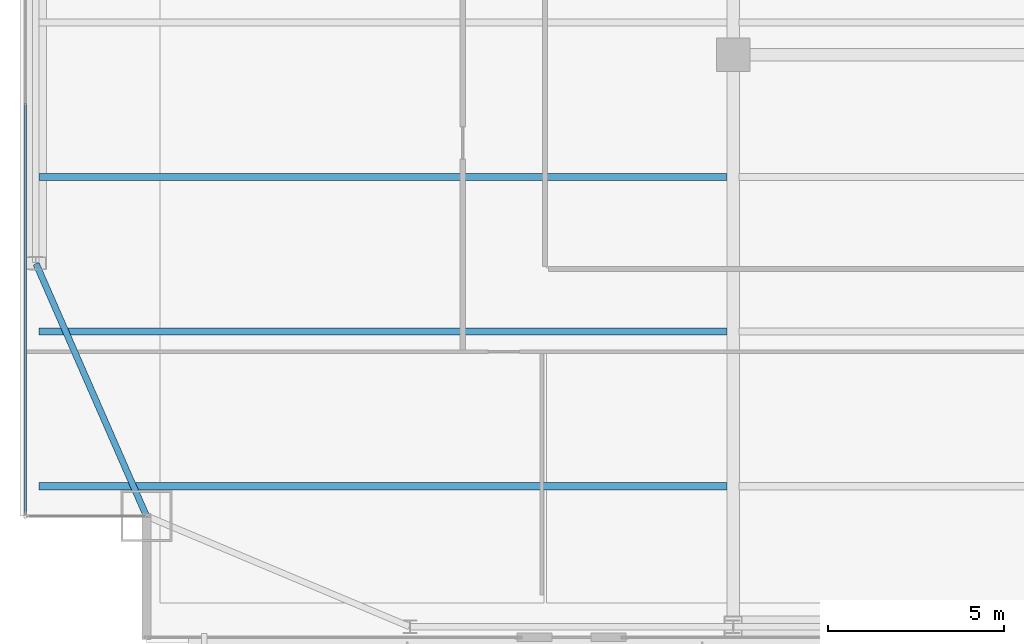
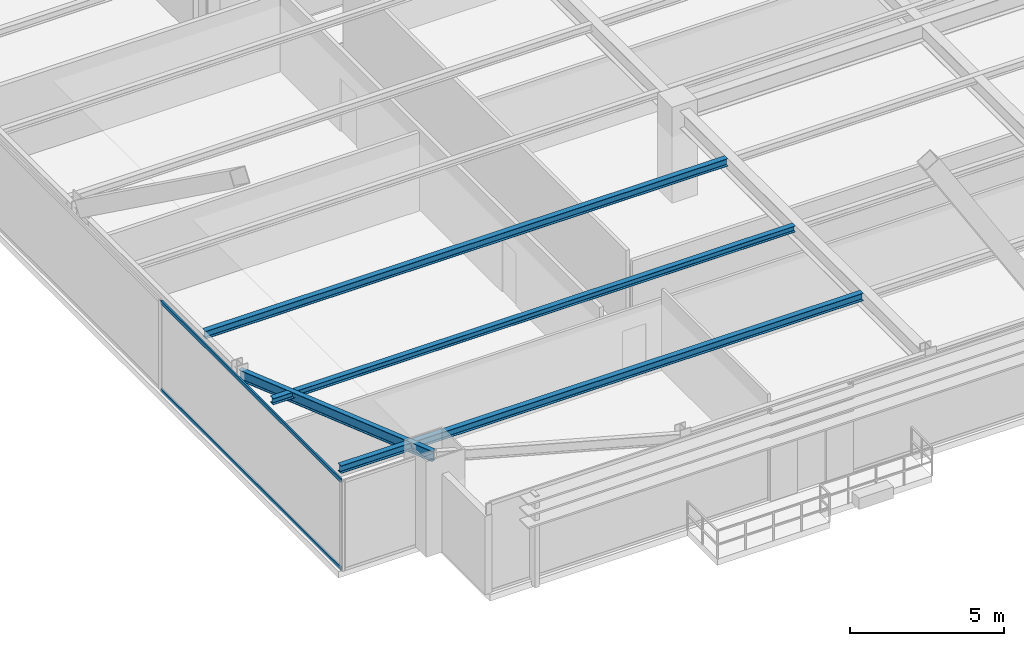
# One storey, part 5 of 37: 4 beams, 2 members, 1 element without a shape of its own.
"""IFC4 building model written with IfcOpenShell, lengths in metres."""

from ifc_helpers import new_model, si_unit, direction, frame, origin, origin_2d, place, context, subcontext, project, spatial, hollow_rectangle, i_section, extrude, source, transform, mapped, material, layer, layer_set, material_profile, profile_set, type_object, type_shapes, element, aggregate, save


model = new_model("IFC4")

# Units and contexts
model_context = context("Model", 3, precision=1e-05, world=origin(), true_north=direction((0.0, 1.0)))
body_context = subcontext(model_context, "Body", "Model", "MODEL_VIEW")
ifc_project = project(units=[si_unit("LENGTHUNIT", "METRE"), si_unit("AREAUNIT", "SQUARE_METRE"), si_unit("VOLUMEUNIT", "CUBIC_METRE"), si_unit("PLANEANGLEUNIT", "RADIAN"), si_unit("MASSUNIT", "GRAM", prefix="KILO")], contexts=[model_context])

# Site, building, storey
site_placement = place(None, origin())
site = spatial("IfcSite", under=ifc_project, at=site_placement, CompositionType="ELEMENT")
building_placement = place(site_placement, origin())
building = spatial("IfcBuilding", under=site, at=building_placement, Name="Varnel Quay Broadcast Tower", CompositionType="ELEMENT")
storey_placement = place(building_placement, frame((0.0, 0.0, 106.800048828125)))
storey = spatial("IfcBuildingStorey", under=building, at=storey_placement, Name="L25", CompositionType="ELEMENT", Elevation=106.800048828125)

# Beams
ifc_material_1 = material(Name="Structural Steel CSA G40.21 350W", Category="steel")
ifc_material_profile_1 = material_profile(ifc_material_1, i_section(OverallWidth=0.180908203125, OverallDepth=0.4169921875, WebThickness=0.010986328125, FlangeThickness=0.018310546875, FilletRadius=0.011962890625, at=origin_2d()), Name="W410X85")
ifc_profile_set_1 = profile_set([ifc_material_profile_1], Name="Structural Steel CSA G40.21 350W")
beam_type_1 = type_object("IfcBeamType", Name="Beam_W410X85", PredefinedType="SPANDREL", material=ifc_profile_set_1)
shared_shape_1 = source(origin(), body_context, "Body", "SweptSolid", [
    extrude(i_section(OverallWidth=0.180908203125, OverallDepth=0.4169921875, WebThickness=0.010986328125, FlangeThickness=0.018310546875, FilletRadius=0.011962890625, at=origin_2d()), origin(), (0.0, 0.0, 1.0), 7.81884765625),
])
type_shapes(beam_type_1, [shared_shape_1])
beam_1_placement = place(storey_placement, frame((8.092041015625, 7.818359375, 3.341552734375), z_axis=(-0.400827023998, 0.916153751743, 0.0), x_axis=(-0.916153751743, -0.400827023998, 0.0)))
element("IfcBeam", 1, at=beam_1_placement, inside=storey, type_object=beam_type_1, Name="L25 West Spandrel MC-SW-TC-W1", PredefinedType="SPANDREL", context=body_context, shape_type="MappedRepresentation", body=[
    mapped(shared_shape_1, transform((0.0, 0.0, 0.0), x_axis=(1.0, 0.0, 0.0), y_axis=(0.0, 1.0, 0.0), z_axis=(0.0, 0.0, 1.0), scale=1.0)),
])
ifc_material_profile_2 = material_profile(ifc_material_1, i_section(OverallWidth=0.202880859375, OverallDepth=0.302978515625, WebThickness=0.007568359375, FlangeThickness=0.01318359375, FilletRadius=0.011962890625, at=origin_2d()), Name="W310X60")
ifc_profile_set_2 = profile_set([ifc_material_profile_2], Name="Structural Steel CSA G40.21 350W")
beam_type_2 = type_object("IfcBeamType", Name="Beam_W310X60", PredefinedType="JOIST", material=ifc_profile_set_2)
shared_shape_2 = source(origin(), body_context, "Body", "SweptSolid", [
    extrude(i_section(OverallWidth=0.202880859375, OverallDepth=0.302978515625, WebThickness=0.007568359375, FlangeThickness=0.01318359375, FilletRadius=0.011962890625, at=origin_2d()), origin(), (0.0, 0.0, 1.0), 19.592041015625),
])
type_shapes(beam_type_2, [shared_shape_2])
for number, where, z_axis, x_axis, name in (
    (2, (5.035400390625, 8.64990234375, 3.3984375), (1.0, 0.0, 0.0), (0.0, 1.0, 0.0), "L25 West Floor Joist 1"),
    (3, (5.035400390625, 17.449951171875, 3.3984375), (1.0, 0.0, 0.0), (0.0, 1.0, 0.0), "L25 West Floor Joist 3"),
):
    element("IfcBeam", number, at=place(storey_placement, frame(where, z_axis=z_axis, x_axis=x_axis)), inside=storey, type_object=beam_type_2, Name=name, PredefinedType="JOIST", context=body_context, shape_type="MappedRepresentation", body=[
        mapped(shared_shape_2, transform((0.0, 0.0, 0.0), x_axis=(1.0, 0.0, 0.0), y_axis=(0.0, 1.0, 0.0), z_axis=(0.0, 0.0, 1.0), scale=1.0)),
    ])
ifc_material_profile_3 = material_profile(ifc_material_1, i_section(OverallWidth=0.201904296875, OverallDepth=0.2470703125, WebThickness=0.00732421875, FlangeThickness=0.010986328125, FilletRadius=0.010986328125, at=origin_2d()), Name="W250X49")
ifc_profile_set_3 = profile_set([ifc_material_profile_3], Name="Structural Steel CSA G40.21 350W")
beam_type_3 = type_object("IfcBeamType", Name="Beam_W250X49", PredefinedType="JOIST", material=ifc_profile_set_3)
shared_shape_3 = source(origin(), body_context, "Body", "SweptSolid", [
    extrude(i_section(OverallWidth=0.201904296875, OverallDepth=0.2470703125, WebThickness=0.00732421875, FlangeThickness=0.010986328125, FilletRadius=0.010986328125, at=origin_2d()), origin(), (0.0, 0.0, 1.0), 19.592041015625),
])
type_shapes(beam_type_3, [shared_shape_3])
beam_2_placement = place(storey_placement, frame((5.035400390625, 13.050048828125, 3.426513671875), z_axis=(1.0, 0.0, 0.0), x_axis=(0.0, 1.0, 0.0)))
element("IfcBeam", 4, at=beam_2_placement, inside=storey, type_object=beam_type_3, Name="L25 West Floor Joist 2", PredefinedType="JOIST", context=body_context, shape_type="MappedRepresentation", body=[
    mapped(shared_shape_3, transform((0.0, 0.0, 0.0), x_axis=(1.0, 0.0, 0.0), y_axis=(0.0, 1.0, 0.0), z_axis=(0.0, 0.0, 1.0), scale=1.0)),
])

# Curtain wall, members
ifc_material_2 = material(Name="Anodised Bronze Aluminium 6063-T6", Category="aluminium")
ifc_layer = layer(ifc_material_2, 0.18994140625, Name="Anodised Bronze Aluminium 6063-T6")
ifc_layer_set = layer_set([ifc_layer], Name="Anodised Bronze Aluminium 6063-T6")
curtain_wall_type = type_object("IfcCurtainWallType", Name="CW_LowerTower", PredefinedType="NOTDEFINED", material=ifc_layer_set)
curtain_wall_placement = place(storey_placement, origin())
curtain_wall = element("IfcCurtainWall", 5, at=curtain_wall_placement, inside=storey, type_object=curtain_wall_type, Name="L25 West Unitised Curtain Wall", PredefinedType="NOTDEFINED")
ifc_material_profile_4 = material_profile(ifc_material_2, hollow_rectangle(XDim=0.06005859375, YDim=0.14501953125, WallThickness=0.00341796875, at=origin_2d()), Name="ALU60X145X3.5")
ifc_profile_set_4 = profile_set([ifc_material_profile_4], Name="Anodised Bronze Aluminium 6063-T6")
member_type = type_object("IfcMemberType", Name="Tran_CWS-02", PredefinedType="USERDEFINED", material=ifc_profile_set_4)
shared_shape_4 = source(origin(), body_context, "Body", "SweptSolid", [
    extrude(hollow_rectangle(XDim=0.06005859375, YDim=0.14501953125, WallThickness=0.00341796875, at=origin_2d()), origin(), (0.0, 0.0, 1.0), 11.69482421875),
])
type_shapes(member_type, [shared_shape_4])
member_1_placement = place(storey_placement, frame((4.64990234375, 7.8701171875, 0.030029296875), z_axis=(0.0, 1.0, 0.0), x_axis=(-1.0, 0.0, 0.0)))
member_1 = element("IfcMember", 6, at=member_1_placement, type_object=member_type, Name="CWS-02 transom 1.1", ObjectType="TRANSOM", PredefinedType="USERDEFINED", context=body_context, shape_type="MappedRepresentation", body=[
    mapped(shared_shape_4, transform((0.0, 0.0, 0.0), x_axis=(1.0, 0.0, 0.0), y_axis=(0.0, 1.0, 0.0), z_axis=(0.0, 0.0, 1.0), scale=1.0)),
])
member_2_placement = place(storey_placement, frame((4.64990234375, 7.8701171875, 3.52001953125), z_axis=(0.0, 1.0, 0.0), x_axis=(-1.0, 0.0, 0.0)))
member_2 = element("IfcMember", 7, at=member_2_placement, type_object=member_type, Name="CWS-02 transom 1.2", ObjectType="TRANSOM", PredefinedType="USERDEFINED", context=body_context, shape_type="MappedRepresentation", body=[
    mapped(shared_shape_4, transform((0.0, 0.0, 0.0), x_axis=(1.0, 0.0, 0.0), y_axis=(0.0, 1.0, 0.0), z_axis=(0.0, 0.0, 1.0), scale=1.0)),
])
aggregate(curtain_wall, [member_1, member_2])

save(model, "model.ifc")
